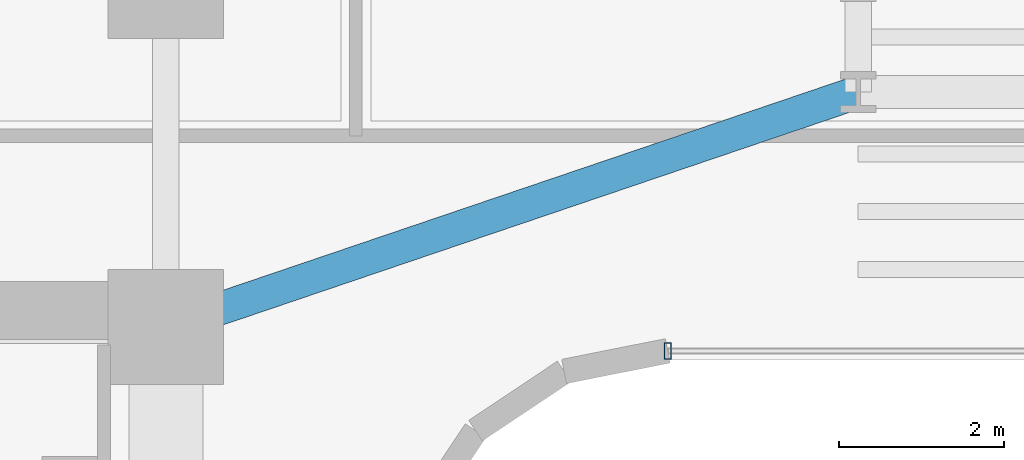
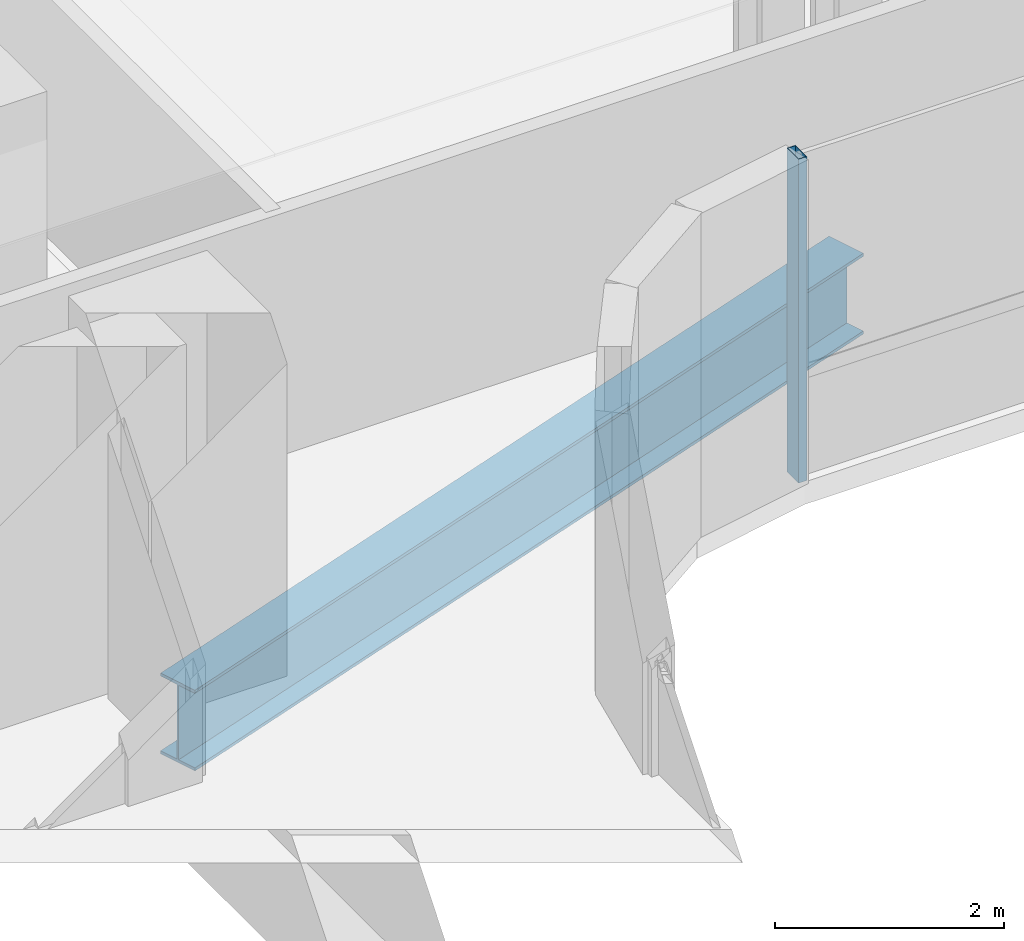
# One storey, part 11 of 39: 1 beam, 1 member, 1 element without a shape of its own.
"""IFC4 building model written with IfcOpenShell, lengths in metres."""

import ifcopenshell
import ifcopenshell.guid

model = None  # the IFC model being written
_history = None  # IfcOwnerHistory: only IFC2X3 demands one
_inside = {}  # id of a spatial element -> (the spatial element, [elements in it])
_under = {}  # id of a project, library or spatial element -> (it, [spatial elements below it])
_declared = {}  # id of a project -> (the project, [libraries it declares])
_typed = {}  # id of a type object -> (the type object, [elements of that type])
_made_of = {}  # id of a material, layer set ... -> (it, [elements and type objects made of it])


def new_model(schema):
    """Start an empty IFC model of exactly this schema.

    Asked for "IFC4X3", IfcOpenShell would pick the latest addendum, in which some entities
    have other attributes; the version numbers below select the first issue.
    IFC2X3 requires an IfcOwnerHistory on every rooted entity: one is made here for all.
    """
    global model, _history
    if schema == "IFC4X3":
        model = ifcopenshell.file(schema_version=(4, 3, 0, 0))
    else:
        model = ifcopenshell.file(schema=schema)
    _inside.clear()
    _under.clear()
    _declared.clear()
    _typed.clear()
    _made_of.clear()
    _history = None
    if model.schema == "IFC2X3":
        org = make("IfcOrganization", Name="unknown")
        user = make(
            "IfcPersonAndOrganization",
            ThePerson=make("IfcPerson", FamilyName="unknown"),
            TheOrganization=org,
        )
        app = make(
            "IfcApplication",
            ApplicationDeveloper=org,
            Version="unknown",
            ApplicationFullName="unknown",
            ApplicationIdentifier="unknown",
        )
        _history = make(
            "IfcOwnerHistory",
            OwningUser=user,
            OwningApplication=app,
            ChangeAction="ADDED",
            CreationDate=0,
        )
    return model


def make(cls, **values):
    """One entity of the class cls with the attributes given. An attribute that is None is left unset."""
    return model.create_entity(
        cls, **{name: value for name, value in values.items() if value is not None}
    )


def rooted(cls, **values):
    """An entity with a GlobalId (a new one), such as an element, a storey or a relation."""
    return make(cls, GlobalId=ifcopenshell.guid.new(), OwnerHistory=_history, **values)


def si_unit(unit_type, name, prefix=None):
    """IfcSIUnit, for example si_unit("LENGTHUNIT", "METRE", prefix="MILLI")."""
    return make("IfcSIUnit", UnitType=unit_type, Prefix=prefix, Name=name)


def assignment(units):
    """IfcUnitAssignment: the units of a project."""
    return None if units is None else make("IfcUnitAssignment", Units=units)


def point(xyz):
    """IfcCartesianPoint."""
    return None if xyz is None else make("IfcCartesianPoint", Coordinates=xyz)


def direction(xyz):
    """IfcDirection."""
    return None if xyz is None else make("IfcDirection", DirectionRatios=xyz)


def frame(location, z_axis=None, x_axis=None):
    """IfcAxis2Placement3D, a coordinate frame: its origin and axes. An axis left out is left unset."""
    return make(
        "IfcAxis2Placement3D",
        Location=point(location),
        Axis=direction(z_axis),
        RefDirection=direction(x_axis),
    )


def frame_2d(location, x_axis=None):
    """IfcAxis2Placement2D, a coordinate frame in the plane: its origin and x axis."""
    return make(
        "IfcAxis2Placement2D", Location=point(location), RefDirection=direction(x_axis)
    )


def origin():
    """The frame at (0, 0, 0) with its axes left unset."""
    return frame((0.0, 0.0, 0.0))


def origin_2d():
    """The frame at (0, 0) in the plane with its x axis left unset."""
    return frame_2d((0.0, 0.0))


def place(relative_to, where):
    """IfcLocalPlacement: puts the frame where relative to a parent placement (None: the world)."""
    return make(
        "IfcLocalPlacement", PlacementRelTo=relative_to, RelativePlacement=where
    )


def context(
    kind, dimensions, precision=None, world=None, true_north=None, identifier=None
):
    """IfcGeometricRepresentationContext, for example the 3D "Model" context."""
    return make(
        "IfcGeometricRepresentationContext",
        ContextIdentifier=identifier,
        ContextType=kind,
        CoordinateSpaceDimension=dimensions,
        Precision=precision,
        WorldCoordinateSystem=world,
        TrueNorth=true_north,
    )


def subcontext(parent, identifier, kind, view, scale=None):
    """IfcGeometricRepresentationSubContext, for example "Body" below "Model"."""
    return make(
        "IfcGeometricRepresentationSubContext",
        ContextIdentifier=identifier,
        ContextType=kind,
        ParentContext=parent,
        TargetScale=scale,
        TargetView=view,
    )


def project(units=None, contexts=None):
    """IfcProject with its units and contexts."""
    return rooted(
        "IfcProject",
        Name="project",
        RepresentationContexts=contexts,
        UnitsInContext=assignment(units),
    )


def spatial(cls, under=None, at=None, **own):
    """A site, building, storey or space (cls), placed at a placement, below another one or the project."""
    s = rooted(cls, ObjectPlacement=at, **own)
    if under is not None:
        _under.setdefault(under.id(), (under, []))[1].append(s)
    return s


def profile(cls, at=None, kind="AREA", **sizes):
    """A parametric profile (cls). Its sizes go by their IFC names, for example OverallWidth=200.0."""
    return make(cls, ProfileType=kind, Position=at, **sizes)


def hollow_rectangle(**sizes):
    """IfcRectangleHollowProfileDef."""
    return profile("IfcRectangleHollowProfileDef", **sizes)


def i_section(**sizes):
    """IfcIShapeProfileDef."""
    return profile("IfcIShapeProfileDef", **sizes)


def extrude(swept, where, along, depth):
    """IfcExtrudedAreaSolid: the profile swept, set in the frame where, extruded along a direction by depth."""
    return make(
        "IfcExtrudedAreaSolid",
        SweptArea=swept,
        Position=where,
        ExtrudedDirection=direction(along),
        Depth=depth,
    )


def shape(context_of_items, identifier, shape_type, items):
    """IfcShapeRepresentation: the items that make up one representation, for example the "Body"."""
    return make(
        "IfcShapeRepresentation",
        ContextOfItems=context_of_items,
        RepresentationIdentifier=identifier,
        RepresentationType=shape_type,
        Items=items,
    )


def source(mapping_origin, context_of_items, identifier, shape_type, items):
    """IfcRepresentationMap: a shape defined once, which mapped items show again and again."""
    return make(
        "IfcRepresentationMap",
        MappingOrigin=mapping_origin,
        MappedRepresentation=shape(context_of_items, identifier, shape_type, items),
    )


def transform(
    local_origin,
    x_axis=None,
    y_axis=None,
    z_axis=None,
    scale=None,
    scale2=None,
    scale3=None,
    uniform=True,
):
    """IfcCartesianTransformationOperator3D, or its non-uniform kind. x_axis, y_axis, z_axis: its Axis1, 2, 3."""
    if uniform:
        return make(
            "IfcCartesianTransformationOperator3D",
            Axis1=direction(x_axis),
            Axis2=direction(y_axis),
            LocalOrigin=point(local_origin),
            Scale=scale,
            Axis3=direction(z_axis),
        )
    return make(
        "IfcCartesianTransformationOperator3DnonUniform",
        Axis1=direction(x_axis),
        Axis2=direction(y_axis),
        LocalOrigin=point(local_origin),
        Scale=scale,
        Axis3=direction(z_axis),
        Scale2=scale2,
        Scale3=scale3,
    )


def mapped(mapping_source, mapping_target):
    """IfcMappedItem: shows the shape of a source again, moved by a transform."""
    return make(
        "IfcMappedItem", MappingSource=mapping_source, MappingTarget=mapping_target
    )


def material(Name=None, Category=None):
    """IfcMaterial."""
    return make("IfcMaterial", Name=Name, Category=Category)


def material_profile(
    of_material, cross_section, Name=None, Category=None, Priority=None
):
    """IfcMaterialProfile: a cross section and its material."""
    return make(
        "IfcMaterialProfile",
        Name=Name,
        Material=of_material,
        Profile=cross_section,
        Priority=Priority,
        Category=Category,
    )


def profile_set(profiles, Name=None, composite=None):
    """IfcMaterialProfileSet."""
    return make(
        "IfcMaterialProfileSet",
        Name=Name,
        MaterialProfiles=profiles,
        CompositeProfile=composite,
    )


def made_of(thing, what):
    """Note that an element or type object is made of a material, layer set ...; save() writes the relation."""
    if what is not None:
        _made_of.setdefault(what.id(), (what, []))[1].append(thing)
    return thing


def type_object(cls, material=None, **own):
    """A type object (cls), such as IfcWallType, which elements share."""
    return made_of(rooted(cls, **own), material)


def element(
    cls,
    number,
    at=None,
    inside=None,
    cuts=None,
    type_object=None,
    material=None,
    context=None,
    identifier="Body",
    shape_type=None,
    held_by="IfcProductDefinitionShape",
    body=None,
    shapes=None,
    **own,
):
    """One element of the class cls, such as IfcWall. Its Tag is "e" and its number.

    at: its placement. inside: the storey or other place that contains it. cuts: it is an
    opening in that element (IfcRelVoidsElement). A single representation is given by context,
    identifier, shape_type and body (its items); several are given by shapes. held_by: the class
    of the entity that holds the representations. save() writes the other relations.
    """
    e = rooted(cls, Tag="e%d" % number, ObjectPlacement=at, **own)
    if body is not None:
        shapes = [shape(context, identifier, shape_type, body)]
    if shapes is not None:
        e.Representation = make(held_by, Representations=shapes)
    if inside is not None:
        _inside.setdefault(inside.id(), (inside, []))[1].append(e)
    if cuts is not None:
        rooted(
            "IfcRelVoidsElement", RelatingBuildingElement=cuts, RelatedOpeningElement=e
        )
    if type_object is not None:
        _typed.setdefault(type_object.id(), (type_object, []))[1].append(e)
    return made_of(e, material)


def aggregate(whole, parts):
    """IfcRelAggregates: a whole, such as a stair, and the parts it consists of."""
    return rooted("IfcRelAggregates", RelatingObject=whole, RelatedObjects=parts)


def save(model, path):
    """Write the relations noted so far, then the file.

    IfcRelAggregates (storeys below a building ...), IfcRelContainedInSpatialStructure (elements
    in a storey), IfcRelDefinesByType, IfcRelAssociatesMaterial and IfcRelDeclares: one each for
    every whole, place, type object, material and project.
    """
    for whole, parts in _under.values():
        aggregate(whole, parts)
    for where, things in _inside.values():
        rooted(
            "IfcRelContainedInSpatialStructure",
            RelatedElements=things,
            RelatingStructure=where,
        )
    for kind, things in _typed.values():
        rooted("IfcRelDefinesByType", RelatedObjects=things, RelatingType=kind)
    for what, things in _made_of.values():
        rooted("IfcRelAssociatesMaterial", RelatedObjects=things, RelatingMaterial=what)
    for by, libraries in _declared.values():
        rooted("IfcRelDeclares", RelatingContext=by, RelatedDefinitions=libraries)
    model.write(path)


model = new_model("IFC4")

# Units and contexts
model_context = context("Model", 3, precision=1e-05, world=origin(), true_north=direction((0.0, 1.0)))
body_context = subcontext(model_context, "Body", "Model", "MODEL_VIEW")
ifc_project = project(units=[si_unit("LENGTHUNIT", "METRE"), si_unit("AREAUNIT", "SQUARE_METRE"), si_unit("VOLUMEUNIT", "CUBIC_METRE"), si_unit("PLANEANGLEUNIT", "RADIAN"), si_unit("MASSUNIT", "GRAM", prefix="KILO")], contexts=[model_context])

# Site, building, storey
site_placement = place(None, origin())
site = spatial("IfcSite", under=ifc_project, at=site_placement, CompositionType="ELEMENT")
building_placement = place(site_placement, origin())
building = spatial("IfcBuilding", under=site, at=building_placement, Name="Valdorenza Pilgrim Sanctuary Tower", CompositionType="ELEMENT")
storey_placement = place(building_placement, frame((0.0, 0.0, 70.39990234375)))
storey = spatial("IfcBuildingStorey", under=building, at=storey_placement, Name="L17", CompositionType="ELEMENT", Elevation=70.39990234375)

# Beam
ifc_material_1 = material(Name="Steel ASTM A992 Grade 50", Category="steel")
ifc_material_profile_1 = material_profile(ifc_material_1, i_section(OverallWidth=0.39990234375, OverallDepth=0.862060546875, WebThickness=0.019775390625, FlangeThickness=0.032470703125, at=origin_2d()), Name="W33X221")
ifc_profile_set_1 = profile_set([ifc_material_profile_1], Name="Steel ASTM A992 Grade 50")
beam_type = type_object("IfcBeamType", Name="STR-BM-GRD-W33", PredefinedType="BEAM", material=ifc_profile_set_1)
shared_shape_1 = source(origin(), body_context, "Body", "SweptSolid", [
    extrude(i_section(OverallWidth=0.39990234375, OverallDepth=0.862060546875, WebThickness=0.019775390625, FlangeThickness=0.032470703125, at=origin_2d()), origin(), (0.0, 0.0, 1.0), 8.8701171875),
])
beam_placement = place(storey_placement, frame((-12.39990234375, 10.60009765625, -0.6708984375), z_axis=(0.946982588361, 0.321284885018, 0.0), x_axis=(-0.321284885018, 0.946982588361, 0.0)))
element("IfcBeam", 1, at=beam_placement, inside=storey, type_object=beam_type, Name="L17 Floor Girder KNK-G1", PredefinedType="BEAM", context=body_context, shape_type="MappedRepresentation", body=[
    mapped(shared_shape_1, transform((0.0, 0.0, 0.0), x_axis=(1.0, 0.0, 0.0), y_axis=(0.0, 1.0, 0.0), z_axis=(0.0, 0.0, 1.0), scale=1.0)),
])

# Curtain wall, member
ifc_material_2 = material(Name="Curtain-wall IGU glazing", Category="glass")
curtain_wall_type = type_object("IfcCurtainWallType", Name="CW-SYS-02", PredefinedType="NOTDEFINED", material=ifc_material_2)
curtain_wall_placement = place(storey_placement, origin())
curtain_wall = element("IfcCurtainWall", 2, at=curtain_wall_placement, inside=storey, type_object=curtain_wall_type, Name="L17 Curtain Wall CW-L17-1-36", PredefinedType="NOTDEFINED")
ifc_material_3 = material(Name="Anodised aluminium AW-6060", Category="aluminium")
ifc_material_profile_2 = material_profile(ifc_material_3, hollow_rectangle(XDim=0.0849609375, YDim=0.199951171875, WallThickness=0.0048828125, at=origin_2d()), Name="ALU-M 200x85x5")
ifc_profile_set_2 = profile_set([ifc_material_profile_2], Name="Anodised aluminium AW-6060")
member_type = type_object("IfcMemberType", Name="CW-MUL-02", PredefinedType="MULLION", material=ifc_profile_set_2)
shared_shape_2 = source(origin(), body_context, "Body", "SweptSolid", [
    extrude(hollow_rectangle(XDim=0.0849609375, YDim=0.199951171875, WallThickness=0.0048828125, at=origin_2d()), origin(), (0.0, 0.0, 1.0), 3.460205078125),
])
member_placement = place(storey_placement, frame((-6.310791015625, 10.31005859375, 0.0), z_axis=(0.0, 0.0, 1.0), x_axis=(-1.0, 0.0, 0.0)))
member = element("IfcMember", 3, at=member_placement, type_object=member_type, Name="CW-L17-1-36 Mullion 4", PredefinedType="MULLION", context=body_context, shape_type="MappedRepresentation", body=[
    mapped(shared_shape_2, transform((0.0, 0.0, 0.0), x_axis=(1.0, 0.0, 0.0), y_axis=(0.0, 1.0, 0.0), z_axis=(0.0, 0.0, 1.0), scale=1.0)),
])
aggregate(curtain_wall, [member])

save(model, "model.ifc")
